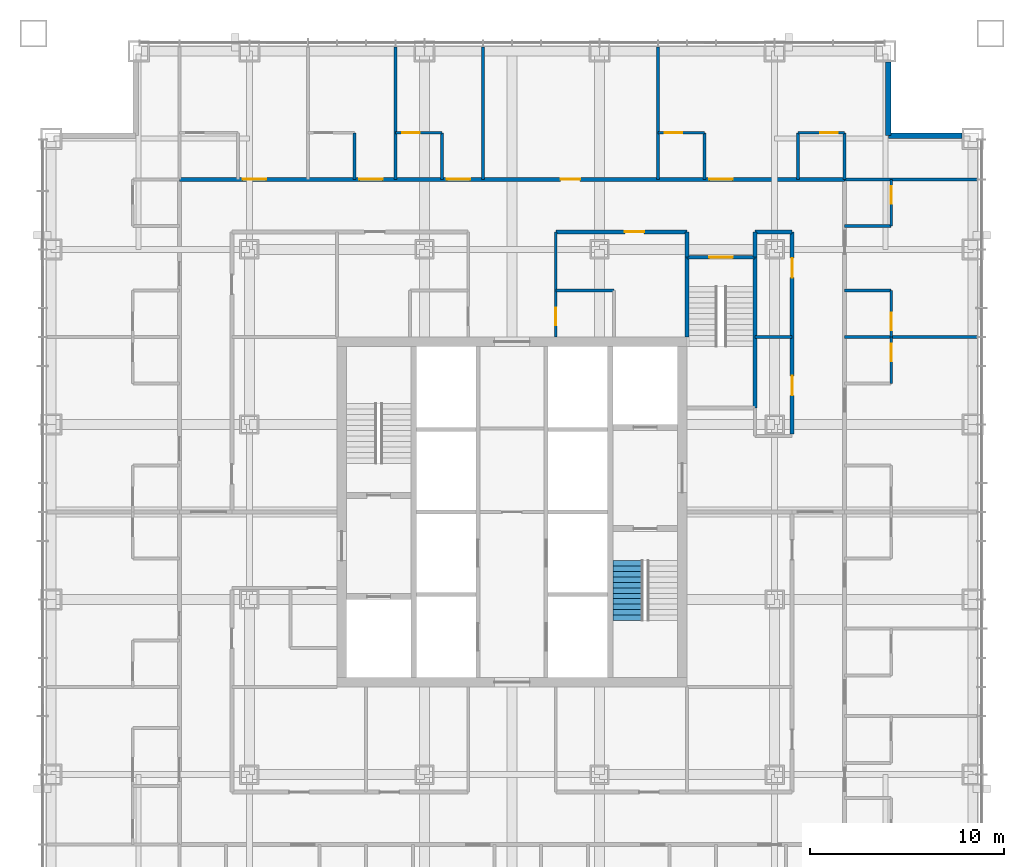
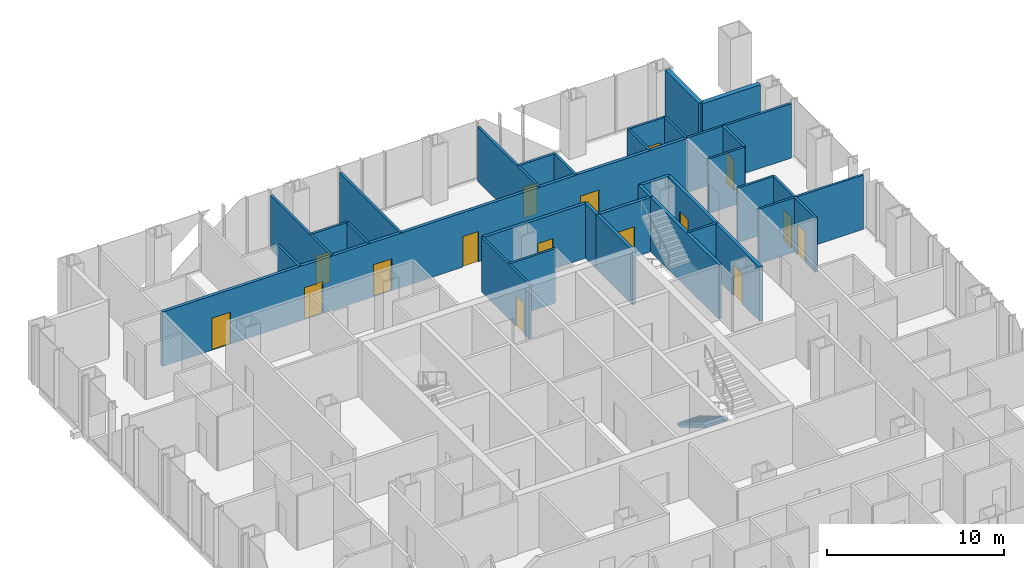
# One storey, part 12 of 16: 32 walls, 16 doors, 1 stair flight, 16 openings, 1 element without a shape of its own.
"""IFC4 building model written with IfcOpenShell, lengths in metres."""

from ifc_helpers import new_model, si_unit, direction, frame, frame_2d, origin, place, context, subcontext, project, spatial, polyline, rectangle, outline, extrude, material, layer, layer_set, type_object, element, fill, aggregate, save


model = new_model("IFC4")

# Units and contexts
model_context = context("Model", 3, precision=1e-05, world=origin(), true_north=direction((0.0, 1.0)))
body_context = subcontext(model_context, "Body", "Model", "MODEL_VIEW")
ifc_project = project(units=[si_unit("LENGTHUNIT", "METRE"), si_unit("AREAUNIT", "SQUARE_METRE"), si_unit("VOLUMEUNIT", "CUBIC_METRE"), si_unit("PLANEANGLEUNIT", "RADIAN"), si_unit("MASSUNIT", "GRAM", prefix="KILO")], contexts=[model_context])

# Site, building, storey
site_placement = place(None, origin())
site = spatial("IfcSite", under=ifc_project, at=site_placement, CompositionType="ELEMENT")
building_placement = place(site_placement, origin())
building = spatial("IfcBuilding", under=site, at=building_placement, Name="Malebo Sky Hospital", CompositionType="ELEMENT")
storey_placement = place(building_placement, frame((0.0, 0.0, 108.0)))
storey = spatial("IfcBuildingStorey", under=building, at=storey_placement, Name="L25", CompositionType="ELEMENT", Elevation=108.0)

# Wall, openings, doors
ifc_material_1 = material(Name="Gypsum board on steel studs", Category="steel")
ifc_layer_1 = layer(ifc_material_1, 0.199951171875)
ifc_layer_set_1 = layer_set([ifc_layer_1], Name="CORRIDOR WALL 200")
wall_type_1 = type_object("IfcWallType", Name="CORRIDOR WALL 200", PredefinedType="PARTITIONING", material=ifc_layer_set_1)
wall_1_placement = place(storey_placement, frame((42.89990234375, 79.10009765625, 0.0), z_axis=(0.0, 0.0, 1.0), x_axis=(1.0, 0.0, 0.0)))
wall_1 = element("IfcWall", 1, at=wall_1_placement, inside=storey, type_object=wall_type_1, Name="Corridor Wall 200 NCO", PredefinedType="PARTITIONING", context=body_context, shape_type="SweptSolid", body=[
    extrude(rectangle(XDim=34.2001953125, YDim=0.199951171875, at=frame_2d((17.10009765625, 0.0))), origin(), (0.0, 0.0, 1.0), 3.75),
])
opening_1_placement = place(wall_1_placement, frame((3.25, 0.0, 0.0)))
opening_1 = element("IfcOpeningElement", 2, at=opening_1_placement, cuts=wall_1, Name="Opening D01", PredefinedType="OPENING", context=body_context, shape_type="SweptSolid", body=[
    extrude(rectangle(XDim=1.199951171875, YDim=2.199951171875, at=frame_2d((0.60009765625, 1.10009765625))), frame((0.0, 0.10986328125, 0.0), z_axis=(0.0, -1.0, 0.0), x_axis=(1.0, 0.0, 0.0)), (0.0, 0.0, 1.0), 0.219970703125),
])
opening_2_placement = place(wall_1_placement, frame((9.25, 0.0, 0.0)))
opening_2 = element("IfcOpeningElement", 3, at=opening_2_placement, cuts=wall_1, Name="Opening D01", PredefinedType="OPENING", context=body_context, shape_type="SweptSolid", body=[
    extrude(rectangle(XDim=1.199951171875, YDim=2.199951171875, at=frame_2d((0.60009765625, 1.10009765625))), frame((0.0, 0.10986328125, 0.0), z_axis=(0.0, -1.0, 0.0), x_axis=(1.0, 0.0, 0.0)), (0.0, 0.0, 1.0), 0.219970703125),
])
opening_3_placement = place(wall_1_placement, frame((13.75, 0.0, 0.0)))
opening_3 = element("IfcOpeningElement", 4, at=opening_3_placement, cuts=wall_1, Name="Opening D01", PredefinedType="OPENING", context=body_context, shape_type="SweptSolid", body=[
    extrude(rectangle(XDim=1.199951171875, YDim=2.199951171875, at=frame_2d((0.60009765625, 1.10009765625))), frame((0.0, 0.10986328125, 0.0), z_axis=(0.0, -1.0, 0.0), x_axis=(1.0, 0.0, 0.0)), (0.0, 0.0, 1.0), 0.219970703125),
])
opening_4_placement = place(wall_1_placement, frame((19.60009765625, 0.0, 0.0)))
opening_4 = element("IfcOpeningElement", 5, at=opening_4_placement, cuts=wall_1, Name="Opening D03", PredefinedType="OPENING", context=body_context, shape_type="SweptSolid", body=[
    extrude(rectangle(XDim=1.0, YDim=2.10009765625, at=frame_2d((0.5, 1.050048828125))), frame((0.0, 0.10986328125, 0.0), z_axis=(0.0, -1.0, 0.0), x_axis=(1.0, 0.0, 0.0)), (0.0, 0.0, 1.0), 0.219970703125),
])
opening_5_placement = place(wall_1_placement, frame((27.25, 0.0, 0.0)))
opening_5 = element("IfcOpeningElement", 6, at=opening_5_placement, cuts=wall_1, Name="Opening D01", PredefinedType="OPENING", context=body_context, shape_type="SweptSolid", body=[
    extrude(rectangle(XDim=1.199951171875, YDim=2.199951171875, at=frame_2d((0.60009765625, 1.10009765625))), frame((0.0, 0.10986328125, 0.0), z_axis=(0.0, -1.0, 0.0), x_axis=(1.0, 0.0, 0.0)), (0.0, 0.0, 1.0), 0.219970703125),
])
ifc_material_2 = material(Name="Hardwood-faced door leaf in steel frame", Category="steel")
door_type_1 = type_object("IfcDoorType", Name="BED DOOR 1200", OperationType="SINGLE_SWING_LEFT", PredefinedType="DOOR", material=ifc_material_2)
door_1_placement = place(opening_1_placement, origin())
door_1 = element("IfcDoor", 7, at=door_1_placement, inside=storey, type_object=door_type_1, Name="Two-bed room door", OperationType="SINGLE_SWING_LEFT", OverallHeight=2.199951171875, OverallWidth=1.199951171875, PredefinedType="DOOR", context=body_context, shape_type="SweptSolid", body=[
    extrude(rectangle(XDim=1.199951171875, YDim=2.199951171875, at=frame_2d((0.60009765625, 1.10009765625))), frame((0.0, 0.02490234375, 0.0), z_axis=(0.0, -1.0, 0.0), x_axis=(1.0, 0.0, 0.0)), (0.0, 0.0, 1.0), 0.050048828125),
])
fill(opening_1, door_1)
door_2_placement = place(opening_2_placement, origin())
door_2 = element("IfcDoor", 8, at=door_2_placement, inside=storey, type_object=door_type_1, Name="Single bed room door", OperationType="SINGLE_SWING_LEFT", OverallHeight=2.199951171875, OverallWidth=1.199951171875, PredefinedType="DOOR", context=body_context, shape_type="SweptSolid", body=[
    extrude(rectangle(XDim=1.199951171875, YDim=2.199951171875, at=frame_2d((0.60009765625, 1.10009765625))), frame((0.0, 0.02490234375, 0.0), z_axis=(0.0, -1.0, 0.0), x_axis=(1.0, 0.0, 0.0)), (0.0, 0.0, 1.0), 0.050048828125),
])
fill(opening_2, door_2)
door_3_placement = place(opening_3_placement, origin())
door_3 = element("IfcDoor", 9, at=door_3_placement, inside=storey, type_object=door_type_1, Name="Single bed room door", OperationType="SINGLE_SWING_LEFT", OverallHeight=2.199951171875, OverallWidth=1.199951171875, PredefinedType="DOOR", context=body_context, shape_type="SweptSolid", body=[
    extrude(rectangle(XDim=1.199951171875, YDim=2.199951171875, at=frame_2d((0.60009765625, 1.10009765625))), frame((0.0, 0.02490234375, 0.0), z_axis=(0.0, -1.0, 0.0), x_axis=(1.0, 0.0, 0.0)), (0.0, 0.0, 1.0), 0.050048828125),
])
fill(opening_3, door_3)
door_4_placement = place(opening_5_placement, origin())
door_4 = element("IfcDoor", 10, at=door_4_placement, inside=storey, type_object=door_type_1, Name="Four-bed bay door", OperationType="SINGLE_SWING_LEFT", OverallHeight=2.199951171875, OverallWidth=1.199951171875, PredefinedType="DOOR", context=body_context, shape_type="SweptSolid", body=[
    extrude(rectangle(XDim=1.199951171875, YDim=2.199951171875, at=frame_2d((0.60009765625, 1.10009765625))), frame((0.0, 0.02490234375, 0.0), z_axis=(0.0, -1.0, 0.0), x_axis=(1.0, 0.0, 0.0)), (0.0, 0.0, 1.0), 0.050048828125),
])
fill(opening_5, door_4)
door_type_2 = type_object("IfcDoorType", Name="ROOM DOOR 1000", OperationType="SINGLE_SWING_LEFT", PredefinedType="DOOR", material=ifc_material_2)
door_5_placement = place(opening_4_placement, origin())
door_5 = element("IfcDoor", 11, at=door_5_placement, inside=storey, type_object=door_type_2, Name="Patient day room door", OperationType="SINGLE_SWING_LEFT", OverallHeight=2.10009765625, OverallWidth=1.0, PredefinedType="DOOR", context=body_context, shape_type="SweptSolid", body=[
    extrude(rectangle(XDim=1.0, YDim=2.10009765625, at=frame_2d((0.5, 1.050048828125))), frame((0.0, 0.02490234375, 0.0), z_axis=(0.0, -1.0, 0.0), x_axis=(1.0, 0.0, 0.0)), (0.0, 0.0, 1.0), 0.050048828125),
])
fill(opening_4, door_5)

# Wall, opening, door
wall_2_placement = place(storey_placement, frame((62.25, 76.39990234375, 0.0), z_axis=(0.0, 0.0, 1.0), x_axis=(1.0, 0.0, 0.0)))
wall_2 = element("IfcWall", 12, at=wall_2_placement, inside=storey, type_object=wall_type_1, Name="Corridor Wall 200 NCI2", PredefinedType="PARTITIONING", context=body_context, shape_type="SweptSolid", body=[
    extrude(rectangle(XDim=6.75, YDim=0.199951171875, at=frame_2d((3.375, 0.0))), origin(), (0.0, 0.0, 1.0), 3.75),
])
opening_6_placement = place(wall_2_placement, frame((3.550048828125, 0.0, 0.0)))
opening_6 = element("IfcOpeningElement", 13, at=opening_6_placement, cuts=wall_2, Name="Opening D03", PredefinedType="OPENING", context=body_context, shape_type="SweptSolid", body=[
    extrude(rectangle(XDim=1.0, YDim=2.10009765625, at=frame_2d((0.5, 1.050048828125))), frame((0.0, 0.10986328125, 0.0), z_axis=(0.0, -1.0, 0.0), x_axis=(1.0, 0.0, 0.0)), (0.0, 0.0, 1.0), 0.219970703125),
])
door_6_placement = place(opening_6_placement, origin())
door_6 = element("IfcDoor", 14, at=door_6_placement, inside=storey, type_object=door_type_2, Name="Medication room door", OperationType="SINGLE_SWING_RIGHT", OverallHeight=2.10009765625, OverallWidth=1.0, PredefinedType="DOOR", context=body_context, shape_type="SweptSolid", body=[
    extrude(rectangle(XDim=1.0, YDim=2.10009765625, at=frame_2d((0.5, 1.050048828125))), frame((0.0, 0.02490234375, 0.0), z_axis=(0.0, -1.0, 0.0), x_axis=(1.0, 0.0, 0.0)), (0.0, 0.0, 1.0), 0.050048828125),
])
fill(opening_6, door_6)

# Wall
wall_3_placement = place(storey_placement, frame((72.5, 76.39990234375, 0.0), z_axis=(0.0, 0.0, 1.0), x_axis=(1.0, 0.0, 0.0)))
element("IfcWall", 15, at=wall_3_placement, inside=storey, type_object=wall_type_1, Name="Corridor Wall 200 NCI2/2", PredefinedType="PARTITIONING", context=body_context, shape_type="SweptSolid", body=[
    extrude(rectangle(XDim=1.89990234375, YDim=0.199951171875, at=frame_2d((0.949951171875, 0.0))), origin(), (0.0, 0.0, 1.0), 3.75),
])

# Wall, openings, doors
wall_4_placement = place(storey_placement, frame((74.39990234375, 76.39990234375, 0.0), z_axis=(0.0, 0.0, 1.0), x_axis=(0.0, -1.0, 0.0)))
wall_4 = element("IfcWall", 16, at=wall_4_placement, inside=storey, type_object=wall_type_1, Name="Corridor Wall 200 ECI1", PredefinedType="PARTITIONING", context=body_context, shape_type="SweptSolid", body=[
    extrude(rectangle(XDim=10.39990234375, YDim=0.199951171875, at=frame_2d((5.199951171875, 0.0))), origin(), (0.0, 0.0, 1.0), 3.75),
])
opening_7_placement = place(wall_4_placement, frame((1.35009765625, 0.0, 0.0)))
opening_7 = element("IfcOpeningElement", 17, at=opening_7_placement, cuts=wall_4, Name="Opening D03", PredefinedType="OPENING", context=body_context, shape_type="SweptSolid", body=[
    extrude(rectangle(XDim=1.0, YDim=2.10009765625, at=frame_2d((0.5, 1.050048828125))), frame((0.0, 0.10986328125, 0.0), z_axis=(0.0, -1.0, 0.0), x_axis=(1.0, 0.0, 0.0)), (0.0, 0.0, 1.0), 0.219970703125),
])
opening_8_placement = place(wall_4_placement, frame((7.39990234375, 0.0, 0.0)))
opening_8 = element("IfcOpeningElement", 18, at=opening_8_placement, cuts=wall_4, Name="Opening D03", PredefinedType="OPENING", context=body_context, shape_type="SweptSolid", body=[
    extrude(rectangle(XDim=1.0, YDim=2.10009765625, at=frame_2d((0.5, 1.050048828125))), frame((0.0, 0.10986328125, 0.0), z_axis=(0.0, -1.0, 0.0), x_axis=(1.0, 0.0, 0.0)), (0.0, 0.0, 1.0), 0.219970703125),
])
door_7_placement = place(opening_7_placement, origin())
door_7 = element("IfcDoor", 19, at=door_7_placement, inside=storey, type_object=door_type_2, Name="Treatment room door", OperationType="SINGLE_SWING_LEFT", OverallHeight=2.10009765625, OverallWidth=1.0, PredefinedType="DOOR", context=body_context, shape_type="SweptSolid", body=[
    extrude(rectangle(XDim=1.0, YDim=2.10009765625, at=frame_2d((0.5, 1.050048828125))), frame((0.0, 0.02490234375, 0.0), z_axis=(0.0, -1.0, 0.0), x_axis=(1.0, 0.0, 0.0)), (0.0, 0.0, 1.0), 0.050048828125),
])
fill(opening_7, door_7)
door_8_placement = place(opening_8_placement, origin())
door_8 = element("IfcDoor", 20, at=door_8_placement, inside=storey, type_object=door_type_2, Name="Equipment store door", OperationType="SINGLE_SWING_LEFT", OverallHeight=2.10009765625, OverallWidth=1.0, PredefinedType="DOOR", context=body_context, shape_type="SweptSolid", body=[
    extrude(rectangle(XDim=1.0, YDim=2.10009765625, at=frame_2d((0.5, 1.050048828125))), frame((0.0, 0.02490234375, 0.0), z_axis=(0.0, -1.0, 0.0), x_axis=(1.0, 0.0, 0.0)), (0.0, 0.0, 1.0), 0.050048828125),
])
fill(opening_8, door_8)

# Walls
for number, where, z_axis, x_axis, name in (
    (21, (69.0, 75.10009765625, 0.0), (0.0, 0.0, 1.0), (0.0, 1.0, 0.0), "Corridor Wall 200 ST3AW"),
    (22, (72.5, 75.10009765625, 0.0), (0.0, 0.0, 1.0), (0.0, 1.0, 0.0), "Corridor Wall 200 ST3AE"),
):
    element("IfcWall", number, at=place(storey_placement, frame(where, z_axis=z_axis, x_axis=x_axis)), inside=storey, type_object=wall_type_1, Name=name, PredefinedType="PARTITIONING", context=body_context, shape_type="SweptSolid", body=[
        extrude(rectangle(XDim=1.2998046875, YDim=0.199951171875, at=frame_2d((0.64990234375, 0.0))), origin(), (0.0, 0.0, 1.0), 3.75),
    ])
ifc_material_3 = material(Name="Anodised aluminium rainscreen on steel framing", Category="steel")
ifc_layer_2 = layer(ifc_material_3, 0.300048828125)
ifc_layer_set_2 = layer_set([ifc_layer_2], Name="NOTCH RAINSCREEN WALL 300")
wall_type_2 = type_object("IfcWallType", Name="NOTCH RAINSCREEN WALL 300", PredefinedType="ELEMENTEDWALL", material=ifc_layer_set_2)
for number, where, z_axis, x_axis, name in (
    (23, (79.35009765625, 85.14990234375, 0.0), (0.0, 0.0, 1.0), (0.0, -1.0, 0.0), "Notch rainscreen wall N1 L25"),
    (24, (79.35009765625, 81.35009765625, 0.0), (0.0, 0.0, 1.0), (1.0, 0.0, 0.0), "Notch rainscreen wall N2 L25"),
):
    element("IfcWall", number, at=place(storey_placement, frame(where, z_axis=z_axis, x_axis=x_axis)), inside=storey, type_object=wall_type_2, Name=name, PredefinedType="ELEMENTEDWALL", context=body_context, shape_type="SweptSolid", body=[
        extrude(rectangle(XDim=3.7998046875, YDim=0.300048828125, at=frame_2d((1.89990234375, 0.0))), origin(), (0.0, 0.0, 1.0), 4.0),
    ])
ifc_layer_3 = layer(ifc_material_1, 0.14990234375)
ifc_layer_set_3 = layer_set([ifc_layer_3], Name="PARTITION 150")
wall_type_3 = type_object("IfcWallType", Name="PARTITION 150", PredefinedType="PARTITIONING", material=ifc_layer_set_3)
for number, where, z_axis, x_axis, name in (
    (25, (54.0, 79.10009765625, 0.0), (0.0, 0.0, 1.0), (0.0, 1.0, 0.0), "Partition 150 NP-6.0"),
    (26, (58.5, 79.10009765625, 0.0), (0.0, 0.0, 1.0), (0.0, 1.0, 0.0), "Partition 150 NP-1.5"),
    (27, (67.5, 79.10009765625, 0.0), (0.0, 0.0, 1.0), (0.0, 1.0, 0.0), "Partition 150 NP+7.5"),
):
    element("IfcWall", number, at=place(storey_placement, frame(where, z_axis=z_axis, x_axis=x_axis)), inside=storey, type_object=wall_type_3, Name=name, PredefinedType="PARTITIONING", context=body_context, shape_type="SweptSolid", body=[
        extrude(rectangle(XDim=6.809814453125, YDim=0.14990234375, at=frame_2d((3.40478515625, 0.0))), origin(), (0.0, 0.0, 1.0), 3.75),
    ])
wall_5_placement = place(storey_placement, frame((51.89990234375, 79.10009765625, 0.0), z_axis=(0.0, 0.0, 1.0), x_axis=(0.0, 1.0, 0.0)))
element("IfcWall", 28, at=wall_5_placement, inside=storey, type_object=wall_type_3, Name="Partition 150 NE1S", PredefinedType="PARTITIONING", context=body_context, shape_type="SweptSolid", body=[
    extrude(rectangle(XDim=2.39990234375, YDim=0.14990234375, at=frame_2d((1.199951171875, 0.0))), origin(), (0.0, 0.0, 1.0), 3.75),
])

# Wall, opening, door
wall_6_placement = place(storey_placement, frame((54.0, 81.5, 0.0), z_axis=(0.0, 0.0, 1.0), x_axis=(1.0, 0.0, 0.0)))
wall_6 = element("IfcWall", 29, at=wall_6_placement, inside=storey, type_object=wall_type_3, Name="Partition 150 NE2F", PredefinedType="PARTITIONING", context=body_context, shape_type="SweptSolid", body=[
    extrude(rectangle(XDim=2.39990234375, YDim=0.14990234375, at=frame_2d((1.199951171875, 0.0))), origin(), (0.0, 0.0, 1.0), 3.75),
])
opening_9_placement = place(wall_6_placement, frame((0.35009765625, 0.0, 0.0)))
opening_9 = element("IfcOpeningElement", 30, at=opening_9_placement, cuts=wall_6, Name="Opening D02", PredefinedType="OPENING", context=body_context, shape_type="SweptSolid", body=[
    extrude(rectangle(XDim=0.89990234375, YDim=2.10009765625, at=frame_2d((0.449951171875, 1.050048828125))), frame((0.0, 0.0849609375, 0.0), z_axis=(0.0, -1.0, 0.0), x_axis=(1.0, 0.0, 0.0)), (0.0, 0.0, 1.0), 0.169921875),
])
door_type_3 = type_object("IfcDoorType", Name="EN-SUITE DOOR 900", OperationType="SINGLE_SWING_LEFT", PredefinedType="DOOR", material=ifc_material_2)
door_9_placement = place(opening_9_placement, origin())
door_9 = element("IfcDoor", 31, at=door_9_placement, inside=storey, type_object=door_type_3, Name="En-suite door", OperationType="SINGLE_SWING_LEFT", OverallHeight=2.10009765625, OverallWidth=0.89990234375, PredefinedType="DOOR", context=body_context, shape_type="SweptSolid", body=[
    extrude(rectangle(XDim=0.89990234375, YDim=2.10009765625, at=frame_2d((0.449951171875, 1.050048828125))), frame((0.0, 0.02490234375, 0.0), z_axis=(0.0, -1.0, 0.0), x_axis=(1.0, 0.0, 0.0)), (0.0, 0.0, 1.0), 0.050048828125),
])
fill(opening_9, door_9)

# Wall
wall_7_placement = place(storey_placement, frame((56.39990234375, 79.10009765625, 0.0), z_axis=(0.0, 0.0, 1.0), x_axis=(0.0, 1.0, 0.0)))
element("IfcWall", 32, at=wall_7_placement, inside=storey, type_object=wall_type_3, Name="Partition 150 NE2S", PredefinedType="PARTITIONING", context=body_context, shape_type="SweptSolid", body=[
    extrude(rectangle(XDim=2.39990234375, YDim=0.14990234375, at=frame_2d((1.199951171875, 0.0))), origin(), (0.0, 0.0, 1.0), 3.75),
])

# Wall, opening, door
wall_8_placement = place(storey_placement, frame((67.5, 81.5, 0.0), z_axis=(0.0, 0.0, 1.0), x_axis=(1.0, 0.0, 0.0)))
wall_8 = element("IfcWall", 33, at=wall_8_placement, inside=storey, type_object=wall_type_3, Name="Partition 150 NE4F", PredefinedType="PARTITIONING", context=body_context, shape_type="SweptSolid", body=[
    extrude(rectangle(XDim=2.39990234375, YDim=0.14990234375, at=frame_2d((1.199951171875, 0.0))), origin(), (0.0, 0.0, 1.0), 3.75),
])
opening_10_placement = place(wall_8_placement, frame((0.35009765625, 0.0, 0.0)))
opening_10 = element("IfcOpeningElement", 34, at=opening_10_placement, cuts=wall_8, Name="Opening D02", PredefinedType="OPENING", context=body_context, shape_type="SweptSolid", body=[
    extrude(rectangle(XDim=0.89990234375, YDim=2.10009765625, at=frame_2d((0.449951171875, 1.050048828125))), frame((0.0, 0.0849609375, 0.0), z_axis=(0.0, -1.0, 0.0), x_axis=(1.0, 0.0, 0.0)), (0.0, 0.0, 1.0), 0.169921875),
])
door_10_placement = place(opening_10_placement, origin())
door_10 = element("IfcDoor", 35, at=door_10_placement, inside=storey, type_object=door_type_3, Name="En-suite door", OperationType="SINGLE_SWING_LEFT", OverallHeight=2.10009765625, OverallWidth=0.89990234375, PredefinedType="DOOR", context=body_context, shape_type="SweptSolid", body=[
    extrude(rectangle(XDim=0.89990234375, YDim=2.10009765625, at=frame_2d((0.449951171875, 1.050048828125))), frame((0.0, 0.02490234375, 0.0), z_axis=(0.0, -1.0, 0.0), x_axis=(1.0, 0.0, 0.0)), (0.0, 0.0, 1.0), 0.050048828125),
])
fill(opening_10, door_10)

# Wall
wall_9_placement = place(storey_placement, frame((69.89990234375, 79.10009765625, 0.0), z_axis=(0.0, 0.0, 1.0), x_axis=(0.0, 1.0, 0.0)))
element("IfcWall", 36, at=wall_9_placement, inside=storey, type_object=wall_type_3, Name="Partition 150 NE4S", PredefinedType="PARTITIONING", context=body_context, shape_type="SweptSolid", body=[
    extrude(rectangle(XDim=2.39990234375, YDim=0.14990234375, at=frame_2d((1.199951171875, 0.0))), origin(), (0.0, 0.0, 1.0), 3.75),
])

# Wall, opening, door
wall_10_placement = place(storey_placement, frame((74.699951171875, 81.5, 0.0), z_axis=(0.0, 0.0, 1.0), x_axis=(1.0, 0.0, 0.0)))
wall_10 = element("IfcWall", 37, at=wall_10_placement, inside=storey, type_object=wall_type_3, Name="Partition 150 NG4F", PredefinedType="PARTITIONING", context=body_context, shape_type="SweptSolid", body=[
    extrude(rectangle(XDim=2.400146484375, YDim=0.14990234375, at=frame_2d((1.2001953125, 0.0))), origin(), (0.0, 0.0, 1.0), 3.75),
])
opening_11_placement = place(wall_10_placement, frame((1.14990234375, 0.0, 0.0)))
opening_11 = element("IfcOpeningElement", 38, at=opening_11_placement, cuts=wall_10, Name="Opening D02", PredefinedType="OPENING", context=body_context, shape_type="SweptSolid", body=[
    extrude(rectangle(XDim=0.89990234375, YDim=2.10009765625, at=frame_2d((0.449951171875, 1.050048828125))), frame((0.0, 0.0849609375, 0.0), z_axis=(0.0, -1.0, 0.0), x_axis=(1.0, 0.0, 0.0)), (0.0, 0.0, 1.0), 0.169921875),
])
door_11_placement = place(opening_11_placement, origin())
door_11 = element("IfcDoor", 39, at=door_11_placement, inside=storey, type_object=door_type_3, Name="En-suite door", OperationType="SINGLE_SWING_RIGHT", OverallHeight=2.10009765625, OverallWidth=0.89990234375, PredefinedType="DOOR", context=body_context, shape_type="SweptSolid", body=[
    extrude(rectangle(XDim=0.89990234375, YDim=2.10009765625, at=frame_2d((0.449951171875, 1.050048828125))), frame((0.0, 0.02490234375, 0.0), z_axis=(0.0, -1.0, 0.0), x_axis=(1.0, 0.0, 0.0)), (0.0, 0.0, 1.0), 0.050048828125),
])
fill(opening_11, door_11)

# Walls
for number, where, z_axis, x_axis, name in (
    (40, (74.699951171875, 79.10009765625, 0.0), (0.0, 0.0, 1.0), (0.0, 1.0, 0.0), "Partition 150 NG4S"),
    (41, (77.10009765625, 79.10009765625, 0.0), (0.0, 0.0, 1.0), (0.0, 1.0, 0.0), "Partition 150 NEZ"),
):
    element("IfcWall", number, at=place(storey_placement, frame(where, z_axis=z_axis, x_axis=x_axis)), inside=storey, type_object=wall_type_3, Name=name, PredefinedType="PARTITIONING", context=body_context, shape_type="SweptSolid", body=[
        extrude(rectangle(XDim=2.39990234375, YDim=0.14990234375, at=frame_2d((1.199951171875, 0.0))), origin(), (0.0, 0.0, 1.0), 3.75),
    ])

# Wall, opening, door
wall_11_placement = place(storey_placement, frame((62.25, 71.0, 0.0), z_axis=(0.0, 0.0, 1.0), x_axis=(0.0, 1.0, 0.0)))
wall_11 = element("IfcWall", 42, at=wall_11_placement, inside=storey, type_object=wall_type_3, Name="Partition 150 NSPB", PredefinedType="PARTITIONING", context=body_context, shape_type="SweptSolid", body=[
    extrude(rectangle(XDim=5.39990234375, YDim=0.14990234375, at=frame_2d((2.699951171875, 0.0))), origin(), (0.0, 0.0, 1.0), 3.75),
])
opening_12_placement = place(wall_11_placement, frame((0.60009765625, 0.0, 0.0)))
opening_12 = element("IfcOpeningElement", 43, at=opening_12_placement, cuts=wall_11, Name="Opening D04", PredefinedType="OPENING", context=body_context, shape_type="SweptSolid", body=[
    extrude(rectangle(XDim=0.89990234375, YDim=2.10009765625, at=frame_2d((0.449951171875, 1.050048828125))), frame((0.0, 0.0849609375, 0.0), z_axis=(0.0, -1.0, 0.0), x_axis=(1.0, 0.0, 0.0)), (0.0, 0.0, 1.0), 0.169921875),
])
door_type_4 = type_object("IfcDoorType", Name="ROOM DOOR 900", OperationType="SINGLE_SWING_LEFT", PredefinedType="DOOR", material=ifc_material_2)
door_12_placement = place(opening_12_placement, origin())
door_12 = element("IfcDoor", 44, at=door_12_placement, inside=storey, type_object=door_type_4, Name="Accessible WC door", OperationType="SINGLE_SWING_LEFT", OverallHeight=2.10009765625, OverallWidth=0.89990234375, PredefinedType="DOOR", context=body_context, shape_type="SweptSolid", body=[
    extrude(rectangle(XDim=0.89990234375, YDim=2.10009765625, at=frame_2d((0.449951171875, 1.050048828125))), frame((0.0, 0.02490234375, 0.0), z_axis=(0.0, -1.0, 0.0), x_axis=(1.0, 0.0, 0.0)), (0.0, 0.0, 1.0), 0.050048828125),
])
fill(opening_12, door_12)

# Walls
wall_12_placement = place(storey_placement, frame((62.25, 73.39990234375, 0.0), z_axis=(0.0, 0.0, 1.0), x_axis=(1.0, 0.0, 0.0)))
element("IfcWall", 45, at=wall_12_placement, inside=storey, type_object=wall_type_3, Name="Partition 150 NSX1", PredefinedType="PARTITIONING", context=body_context, shape_type="SweptSolid", body=[
    extrude(rectangle(XDim=3.0, YDim=0.14990234375, at=frame_2d((1.5, 0.0))), origin(), (0.0, 0.0, 1.0), 3.75),
])
for number, where, z_axis, x_axis, name in (
    (46, (77.10009765625, 71.0, 0.0), (0.0, 0.0, 1.0), (1.0, 0.0, 0.0), "Partition 150 EP-9.0"),
    (47, (77.10009765625, 79.10009765625, 0.0), (0.0, 0.0, 1.0), (1.0, 0.0, 0.0), "Partition 150 EP0"),
):
    element("IfcWall", number, at=place(storey_placement, frame(where, z_axis=z_axis, x_axis=x_axis)), inside=storey, type_object=wall_type_3, Name=name, PredefinedType="PARTITIONING", context=body_context, shape_type="SweptSolid", body=[
        extrude(rectangle(XDim=6.809814453125, YDim=0.14990234375, at=frame_2d((3.40478515625, 0.0))), origin(), (0.0, 0.0, 1.0), 3.75),
    ])

# Wall, opening, door
wall_13_placement = place(storey_placement, frame((79.5, 79.10009765625, 0.0), z_axis=(0.0, 0.0, 1.0), x_axis=(0.0, -1.0, 0.0)))
wall_13 = element("IfcWall", 48, at=wall_13_placement, inside=storey, type_object=wall_type_3, Name="Partition 150 EE0F", PredefinedType="PARTITIONING", context=body_context, shape_type="SweptSolid", body=[
    extrude(rectangle(XDim=2.400146484375, YDim=0.14990234375, at=frame_2d((1.2001953125, 0.0))), origin(), (0.0, 0.0, 1.0), 3.75),
])
opening_13_placement = place(wall_13_placement, frame((0.35009765625, 0.0, 0.0)))
opening_13 = element("IfcOpeningElement", 49, at=opening_13_placement, cuts=wall_13, Name="Opening D02", PredefinedType="OPENING", context=body_context, shape_type="SweptSolid", body=[
    extrude(rectangle(XDim=0.89990234375, YDim=2.10009765625, at=frame_2d((0.449951171875, 1.050048828125))), frame((0.0, 0.0849609375, 0.0), z_axis=(0.0, -1.0, 0.0), x_axis=(1.0, 0.0, 0.0)), (0.0, 0.0, 1.0), 0.169921875),
])
door_13_placement = place(opening_13_placement, origin())
door_13 = element("IfcDoor", 50, at=door_13_placement, inside=storey, type_object=door_type_3, Name="En-suite door", OperationType="SINGLE_SWING_LEFT", OverallHeight=2.10009765625, OverallWidth=0.89990234375, PredefinedType="DOOR", context=body_context, shape_type="SweptSolid", body=[
    extrude(rectangle(XDim=0.89990234375, YDim=2.10009765625, at=frame_2d((0.449951171875, 1.050048828125))), frame((0.0, 0.02490234375, 0.0), z_axis=(0.0, -1.0, 0.0), x_axis=(1.0, 0.0, 0.0)), (0.0, 0.0, 1.0), 0.050048828125),
])
fill(opening_13, door_13)

# Wall
wall_14_placement = place(storey_placement, frame((77.10009765625, 76.699951171875, 0.0), z_axis=(0.0, 0.0, 1.0), x_axis=(1.0, 0.0, 0.0)))
element("IfcWall", 51, at=wall_14_placement, inside=storey, type_object=wall_type_3, Name="Partition 150 EE0S", PredefinedType="PARTITIONING", context=body_context, shape_type="SweptSolid", body=[
    extrude(rectangle(XDim=2.39990234375, YDim=0.14990234375, at=frame_2d((1.199951171875, 0.0))), origin(), (0.0, 0.0, 1.0), 3.75),
])

# Wall, opening, door
wall_15_placement = place(storey_placement, frame((79.5, 73.39990234375, 0.0), z_axis=(0.0, 0.0, 1.0), x_axis=(0.0, -1.0, 0.0)))
wall_15 = element("IfcWall", 52, at=wall_15_placement, inside=storey, type_object=wall_type_3, Name="Partition 150 EG0F", PredefinedType="PARTITIONING", context=body_context, shape_type="SweptSolid", body=[
    extrude(rectangle(XDim=2.39990234375, YDim=0.14990234375, at=frame_2d((1.199951171875, 0.0))), origin(), (0.0, 0.0, 1.0), 3.75),
])
opening_14_placement = place(wall_15_placement, frame((1.14990234375, 0.0, 0.0)))
opening_14 = element("IfcOpeningElement", 53, at=opening_14_placement, cuts=wall_15, Name="Opening D02", PredefinedType="OPENING", context=body_context, shape_type="SweptSolid", body=[
    extrude(rectangle(XDim=0.89990234375, YDim=2.10009765625, at=frame_2d((0.449951171875, 1.050048828125))), frame((0.0, 0.0849609375, 0.0), z_axis=(0.0, -1.0, 0.0), x_axis=(1.0, 0.0, 0.0)), (0.0, 0.0, 1.0), 0.169921875),
])
door_14_placement = place(opening_14_placement, origin())
door_14 = element("IfcDoor", 54, at=door_14_placement, inside=storey, type_object=door_type_3, Name="En-suite door", OperationType="SINGLE_SWING_RIGHT", OverallHeight=2.10009765625, OverallWidth=0.89990234375, PredefinedType="DOOR", context=body_context, shape_type="SweptSolid", body=[
    extrude(rectangle(XDim=0.89990234375, YDim=2.10009765625, at=frame_2d((0.449951171875, 1.050048828125))), frame((0.0, 0.02490234375, 0.0), z_axis=(0.0, -1.0, 0.0), x_axis=(1.0, 0.0, 0.0)), (0.0, 0.0, 1.0), 0.050048828125),
])
fill(opening_14, door_14)

# Wall
wall_16_placement = place(storey_placement, frame((77.10009765625, 73.39990234375, 0.0), z_axis=(0.0, 0.0, 1.0), x_axis=(1.0, 0.0, 0.0)))
element("IfcWall", 55, at=wall_16_placement, inside=storey, type_object=wall_type_3, Name="Partition 150 EG0S", PredefinedType="PARTITIONING", context=body_context, shape_type="SweptSolid", body=[
    extrude(rectangle(XDim=2.39990234375, YDim=0.14990234375, at=frame_2d((1.199951171875, 0.0))), origin(), (0.0, 0.0, 1.0), 3.75),
])

# Wall, opening, door
wall_17_placement = place(storey_placement, frame((79.5, 71.0, 0.0), z_axis=(0.0, 0.0, 1.0), x_axis=(0.0, -1.0, 0.0)))
wall_17 = element("IfcWall", 56, at=wall_17_placement, inside=storey, type_object=wall_type_3, Name="Partition 150 EE1F", PredefinedType="PARTITIONING", context=body_context, shape_type="SweptSolid", body=[
    extrude(rectangle(XDim=2.39990234375, YDim=0.14990234375, at=frame_2d((1.199951171875, 0.0))), origin(), (0.0, 0.0, 1.0), 3.75),
])
opening_15_placement = place(wall_17_placement, frame((0.35009765625, 0.0, 0.0)))
opening_15 = element("IfcOpeningElement", 57, at=opening_15_placement, cuts=wall_17, Name="Opening D02", PredefinedType="OPENING", context=body_context, shape_type="SweptSolid", body=[
    extrude(rectangle(XDim=0.89990234375, YDim=2.10009765625, at=frame_2d((0.449951171875, 1.050048828125))), frame((0.0, 0.0849609375, 0.0), z_axis=(0.0, -1.0, 0.0), x_axis=(1.0, 0.0, 0.0)), (0.0, 0.0, 1.0), 0.169921875),
])
door_15_placement = place(opening_15_placement, origin())
door_15 = element("IfcDoor", 58, at=door_15_placement, inside=storey, type_object=door_type_3, Name="En-suite door", OperationType="SINGLE_SWING_LEFT", OverallHeight=2.10009765625, OverallWidth=0.89990234375, PredefinedType="DOOR", context=body_context, shape_type="SweptSolid", body=[
    extrude(rectangle(XDim=0.89990234375, YDim=2.10009765625, at=frame_2d((0.449951171875, 1.050048828125))), frame((0.0, 0.02490234375, 0.0), z_axis=(0.0, -1.0, 0.0), x_axis=(1.0, 0.0, 0.0)), (0.0, 0.0, 1.0), 0.050048828125),
])
fill(opening_15, door_15)

# Walls
wall_18_placement = place(storey_placement, frame((72.5, 71.0, 0.0), z_axis=(0.0, 0.0, 1.0), x_axis=(1.0, 0.0, 0.0)))
element("IfcWall", 59, at=wall_18_placement, inside=storey, type_object=wall_type_3, Name="Partition 150 ESP0", PredefinedType="PARTITIONING", context=body_context, shape_type="SweptSolid", body=[
    extrude(rectangle(XDim=1.89990234375, YDim=0.14990234375, at=frame_2d((0.949951171875, 0.0))), origin(), (0.0, 0.0, 1.0), 3.75),
])
ifc_material_4 = material(Name="Concrete C40/50", Category="concrete")
ifc_layer_4 = layer(ifc_material_4, 0.199951171875)
ifc_layer_set_4 = layer_set([ifc_layer_4], Name="STAIR ENCLOSURE WALL 200")
wall_type_4 = type_object("IfcWallType", Name="STAIR ENCLOSURE WALL 200", PredefinedType="SOLIDWALL", material=ifc_layer_set_4)
wall_19_placement = place(storey_placement, frame((69.0, 71.0, 0.0), z_axis=(0.0, 0.0, 1.0), x_axis=(0.0, 1.0, 0.0)))
element("IfcWall", 60, at=wall_19_placement, inside=storey, type_object=wall_type_4, Name="Stair Enclosure Wall 200 ST3W", PredefinedType="SOLIDWALL", context=body_context, shape_type="SweptSolid", body=[
    extrude(rectangle(XDim=4.10009765625, YDim=0.199951171875, at=frame_2d((2.050048828125, 0.0))), origin(), (0.0, 0.0, 1.0), 3.75),
])
wall_20_placement = place(storey_placement, frame((72.5, 67.35009765625, 0.0), z_axis=(0.0, 0.0, 1.0), x_axis=(0.0, 1.0, 0.0)))
element("IfcWall", 61, at=wall_20_placement, inside=storey, type_object=wall_type_4, Name="Stair Enclosure Wall 200 ST3E", PredefinedType="SOLIDWALL", context=body_context, shape_type="SweptSolid", body=[
    extrude(rectangle(XDim=7.75, YDim=0.199951171875, at=frame_2d((3.875, 0.0))), origin(), (0.0, 0.0, 1.0), 3.75),
])

# Wall, opening, door
wall_21_placement = place(storey_placement, frame((69.0, 75.10009765625, 0.0), z_axis=(0.0, 0.0, 1.0), x_axis=(1.0, 0.0, 0.0)))
wall_21 = element("IfcWall", 62, at=wall_21_placement, inside=storey, type_object=wall_type_4, Name="Stair Enclosure Wall 200 ST3N", PredefinedType="SOLIDWALL", context=body_context, shape_type="SweptSolid", body=[
    extrude(rectangle(XDim=3.5, YDim=0.199951171875, at=frame_2d((1.75, 0.0))), origin(), (0.0, 0.0, 1.0), 3.75),
])
opening_16_placement = place(wall_21_placement, frame((1.14990234375, 0.0, 0.0)))
opening_16 = element("IfcOpeningElement", 63, at=opening_16_placement, cuts=wall_21, Name="Opening D08", PredefinedType="OPENING", context=body_context, shape_type="SweptSolid", body=[
    extrude(rectangle(XDim=1.199951171875, YDim=2.10009765625, at=frame_2d((0.60009765625, 1.050048828125))), frame((0.0, 0.10986328125, 0.0), z_axis=(0.0, -1.0, 0.0), x_axis=(1.0, 0.0, 0.0)), (0.0, 0.0, 1.0), 0.219970703125),
])
door_type_5 = type_object("IfcDoorType", Name="STAIR DOOR 1200", OperationType="SINGLE_SWING_LEFT", PredefinedType="DOOR", material=ifc_material_2)
door_16_placement = place(opening_16_placement, origin())
door_16 = element("IfcDoor", 64, at=door_16_placement, inside=storey, type_object=door_type_5, Name="Stair S3 door", OperationType="SINGLE_SWING_LEFT", OverallHeight=2.10009765625, OverallWidth=1.199951171875, PredefinedType="DOOR", context=body_context, shape_type="SweptSolid", body=[
    extrude(rectangle(XDim=1.199951171875, YDim=2.10009765625, at=frame_2d((0.60009765625, 1.050048828125))), frame((0.0, 0.02490234375, 0.0), z_axis=(0.0, -1.0, 0.0), x_axis=(1.0, 0.0, 0.0)), (0.0, 0.0, 1.0), 0.050048828125),
])
fill(opening_16, door_16)

# Stair, stair flight
stair_type = type_object("IfcStairType", Name="HALF-TURN STAIR 1500 R167", PredefinedType="HALF_TURN_STAIR", material=ifc_material_4)
stair_placement = place(storey_placement, origin())
stair = element("IfcStair", 65, at=stair_placement, inside=storey, type_object=stair_type, Name="Stair S2 L25 type ST1", PredefinedType="HALF_TURN_STAIR")
stair_flight_type = type_object("IfcStairFlightType", Name="STAIR FLIGHT 1500 R167", PredefinedType="STRAIGHT", material=ifc_material_4)
stair_flight_placement = place(storey_placement, frame((65.949951171875, 59.5, 0.0), z_axis=(0.0, 0.0, 1.0), x_axis=(0.0, -1.0, 0.0)))
stair_flight = element("IfcStairFlight", 66, at=stair_flight_placement, type_object=stair_flight_type, Name="S2 flight 1 type SF1", NumberOfRisers=12, NumberOfTreads=11, PredefinedType="STRAIGHT", RiserHeight=0.166666667, TreadLength=0.28, context=body_context, shape_type="SweptSolid", body=[
    extrude(outline(polyline([(0.0, 0.0), (0.0, 0.166748046875), (0.280029296875, 0.166748046875), (0.280029296875, 0.333251953125), (0.56005859375, 0.333251953125), (0.56005859375, 0.5), (0.840087890625, 0.5), (0.840087890625, 0.666748046875), (1.1201171875, 0.666748046875), (1.1201171875, 0.833251953125), (1.39990234375, 0.833251953125), (1.39990234375, 1.0), (1.679931640625, 1.0), (1.679931640625, 1.166748046875), (1.9599609375, 1.166748046875), (1.9599609375, 1.333251953125), (2.239990234375, 1.333251953125), (2.239990234375, 1.5), (2.52001953125, 1.5), (2.52001953125, 1.666748046875), (2.800048828125, 1.666748046875), (2.800048828125, 1.833251953125), (3.080078125, 1.833251953125), (3.080078125, 2.0), (3.080078125, 1.658935546875), (0.29296875, 0.0), (0.0, 0.0)])), frame((0.0, 0.75, 0.0), z_axis=(0.0, -1.0, 0.0), x_axis=(1.0, 0.0, 0.0)), (0.0, 0.0, 1.0), 1.5),
])
aggregate(stair, [stair_flight])

save(model, "model.ifc")
